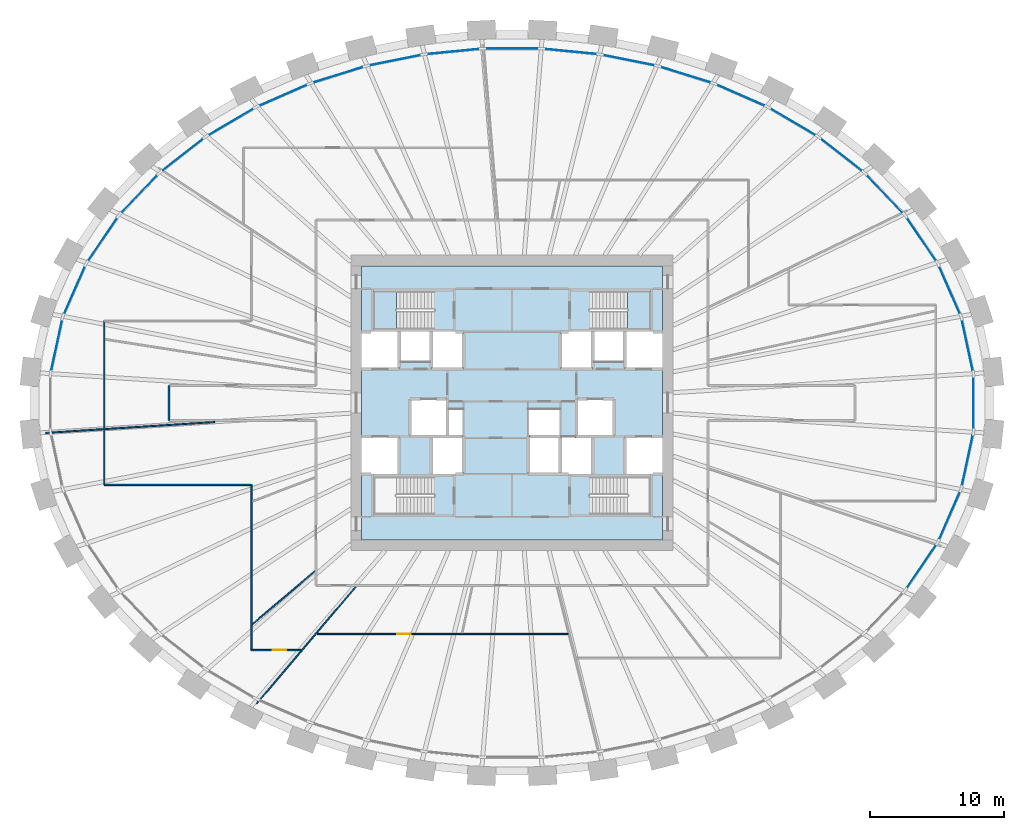
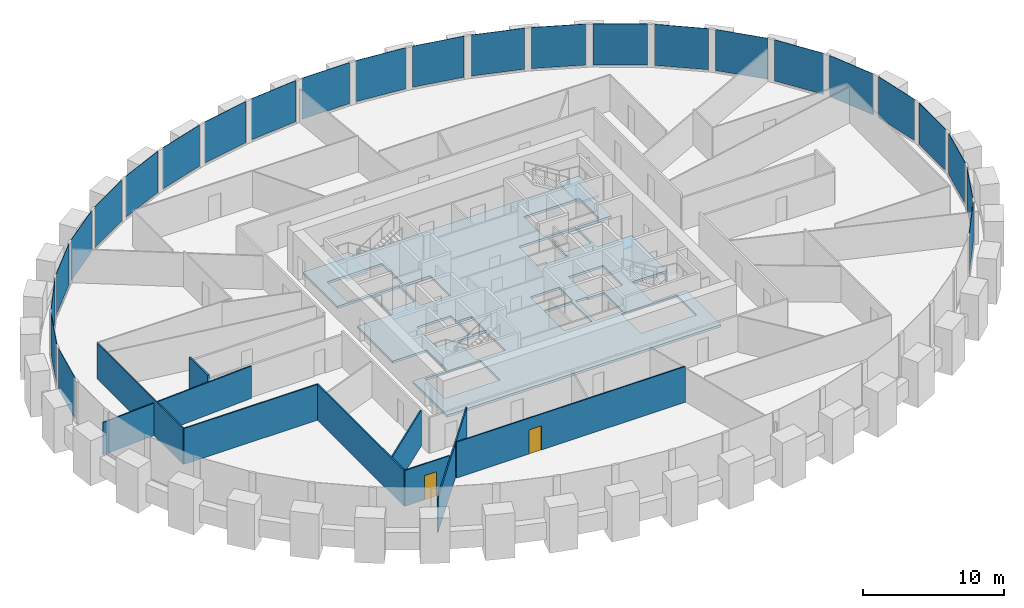
# One storey, part 5 of 11: 25 plates, 9 walls, 3 slabs, 2 doors, 2 openings, 3 elements without a shape of their own.
"""IFC4 building model written with IfcOpenShell, lengths in metres."""

from ifc_helpers import new_model, si_unit, direction, frame, frame_2d, origin, origin_2d, place, context, subcontext, project, spatial, polyline, rectangle, outline, extrude, source, transform, mapped, material, layer, layer_set, type_object, element, fill, aggregate, save


model = new_model("IFC4")

# Units and contexts
model_context = context("Model", 3, precision=1e-05, world=origin(), true_north=direction((0.0, 1.0)))
body_context = subcontext(model_context, "Body", "Model", "MODEL_VIEW")
ifc_project = project(units=[si_unit("LENGTHUNIT", "METRE"), si_unit("AREAUNIT", "SQUARE_METRE"), si_unit("VOLUMEUNIT", "CUBIC_METRE"), si_unit("PLANEANGLEUNIT", "RADIAN"), si_unit("MASSUNIT", "GRAM", prefix="KILO")], contexts=[model_context])

# Site, building, storey
site_placement = place(None, origin())
site = spatial("IfcSite", under=ifc_project, at=site_placement, CompositionType="ELEMENT")
building_placement = place(site_placement, origin())
building = spatial("IfcBuilding", under=site, at=building_placement, Name="Embergate Tower", CompositionType="ELEMENT")
storey_placement = place(building_placement, frame((0.0, 0.0, 207.300048828125)))
storey = spatial("IfcBuildingStorey", under=building, at=storey_placement, Name="L47", CompositionType="ELEMENT", Elevation=207.300048828125)

# Curtain wall, plates
ifc_material_1 = material(Name="Aluminium and glass", Category="aluminium")
curtain_wall_type = type_object("IfcCurtainWallType", Name="Recessed office glazing", PredefinedType="NOTDEFINED", material=ifc_material_1)
curtain_wall_placement = place(storey_placement, origin())
curtain_wall = element("IfcCurtainWall", 1, at=curtain_wall_placement, inside=storey, type_object=curtain_wall_type, Name="Recessed office glazing ring", ObjectType="RECESSED OFFICE GLAZING", PredefinedType="USERDEFINED")
ifc_material_2 = material(Name="Triple glazing, low-emissivity coating", Category="glass")
ifc_layer_1 = layer(ifc_material_2, 0.035888671875)
ifc_layer_set_1 = layer_set([ifc_layer_1], Name="Triple glazing, low-emissivity coating")
plate_type = type_object("IfcPlateType", Name="Office glazing unit", PredefinedType="CURTAIN_PANEL", material=ifc_layer_set_1)
shared_shape_1 = source(origin(), body_context, "Body", "SweptSolid", [
    extrude(rectangle(XDim=3.813232421875, YDim=0.035888671875, at=origin_2d()), origin(), (0.0, 0.0, 1.0), 3.550048828125),
])
plate_1_placement = place(storey_placement, frame((33.897216796875, 4.283447265625, 0.14990234375), z_axis=(0.0, 0.0, 1.0), x_axis=(-0.210394978653, 0.977616465163, 0.0)))
plate_1 = element("IfcPlate", 2, at=plate_1_placement, type_object=plate_type, Name="CW panel 1.1", PredefinedType="CURTAIN_PANEL", context=body_context, shape_type="MappedRepresentation", body=[
    mapped(shared_shape_1, transform((0.0, 0.0, 0.0))),
])
plate_2_placement = place(storey_placement, frame((-33.897216796875, 4.283447265625, 0.14990234375), z_axis=(0.0, 0.0, 1.0), x_axis=(-0.210394978653, -0.977616465163, 0.0)))
plate_2 = element("IfcPlate", 3, at=plate_2_placement, type_object=plate_type, Name="CW panel 21.1", PredefinedType="CURTAIN_PANEL", context=body_context, shape_type="MappedRepresentation", body=[
    mapped(shared_shape_1, transform((0.0, 0.0, 0.0))),
])
plate_3_placement = place(storey_placement, frame((33.897216796875, -4.283447265625, 0.14990234375), z_axis=(0.0, 0.0, 1.0), x_axis=(0.210394978653, 0.977616465163, 0.0)))
plate_3 = element("IfcPlate", 4, at=plate_3_placement, type_object=plate_type, Name="CW panel 43.1", PredefinedType="CURTAIN_PANEL", context=body_context, shape_type="MappedRepresentation", body=[
    mapped(shared_shape_1, transform((0.0, 0.0, 0.0))),
])
shared_shape_2 = source(origin(), body_context, "Body", "SweptSolid", [
    extrude(rectangle(XDim=3.820068359375, YDim=0.035888671875, at=origin_2d()), origin(), (0.0, 0.0, 1.0), 3.550048828125),
])
plate_4_placement = place(storey_placement, frame((32.569580078125, 8.388916015625, 0.14990234375), z_axis=(0.0, 0.0, 1.0), x_axis=(-0.401648904437, 0.915793730905, 0.0)))
plate_4 = element("IfcPlate", 5, at=plate_4_placement, type_object=plate_type, Name="CW panel 2.1", PredefinedType="CURTAIN_PANEL", context=body_context, shape_type="MappedRepresentation", body=[
    mapped(shared_shape_2, transform((0.0, 0.0, 0.0))),
])
plate_5_placement = place(storey_placement, frame((-32.569580078125, 8.388916015625, 0.14990234375), z_axis=(0.0, 0.0, 1.0), x_axis=(-0.401648904437, -0.915793730905, 0.0)))
plate_5 = element("IfcPlate", 6, at=plate_5_placement, type_object=plate_type, Name="CW panel 20.1", PredefinedType="CURTAIN_PANEL", context=body_context, shape_type="MappedRepresentation", body=[
    mapped(shared_shape_2, transform((0.0, 0.0, 0.0))),
])
plate_6_placement = place(storey_placement, frame((32.569580078125, -8.388916015625, 0.14990234375), z_axis=(0.0, 0.0, 1.0), x_axis=(0.401648904437, 0.915793730905, 0.0)))
plate_6 = element("IfcPlate", 7, at=plate_6_placement, type_object=plate_type, Name="CW panel 42.1", PredefinedType="CURTAIN_PANEL", context=body_context, shape_type="MappedRepresentation", body=[
    mapped(shared_shape_2, transform((0.0, 0.0, 0.0))),
])
shared_shape_3 = source(origin(), body_context, "Body", "SweptSolid", [
    extrude(rectangle(XDim=3.828857421875, YDim=0.035888671875, at=origin_2d()), origin(), (0.0, 0.0, 1.0), 3.550048828125),
])
plate_7_placement = place(storey_placement, frame((30.475341796875, 12.17431640625, 0.14990234375), z_axis=(0.0, 0.0, 1.0), x_axis=(-0.562337412243, 0.826907875638, 0.0)))
plate_7 = element("IfcPlate", 8, at=plate_7_placement, type_object=plate_type, Name="CW panel 3.1", PredefinedType="CURTAIN_PANEL", context=body_context, shape_type="MappedRepresentation", body=[
    mapped(shared_shape_3, transform((0.0, 0.0, 0.0))),
])
plate_8_placement = place(storey_placement, frame((-30.475341796875, 12.17431640625, 0.14990234375), z_axis=(0.0, 0.0, 1.0), x_axis=(-0.562337412243, -0.826907875638, 0.0)))
plate_8 = element("IfcPlate", 9, at=plate_8_placement, type_object=plate_type, Name="CW panel 19.1", PredefinedType="CURTAIN_PANEL", context=body_context, shape_type="MappedRepresentation", body=[
    mapped(shared_shape_3, transform((0.0, 0.0, 0.0))),
])
plate_9_placement = place(storey_placement, frame((30.475341796875, -12.17431640625, 0.14990234375), z_axis=(0.0, 0.0, 1.0), x_axis=(0.562337412243, 0.826907875638, 0.0)))
plate_9 = element("IfcPlate", 10, at=plate_9_placement, type_object=plate_type, Name="CW panel 41.1", PredefinedType="CURTAIN_PANEL", context=body_context, shape_type="MappedRepresentation", body=[
    mapped(shared_shape_3, transform((0.0, 0.0, 0.0))),
])
shared_shape_4 = source(origin(), body_context, "Body", "SweptSolid", [
    extrude(rectangle(XDim=3.83740234375, YDim=0.035888671875, at=origin_2d()), origin(), (0.0, 0.0, 1.0), 3.550048828125),
])
plate_10_placement = place(storey_placement, frame((27.748779296875, 15.549072265625, 0.14990234375), z_axis=(0.0, 0.0, 1.0), x_axis=(-0.690128732196, 0.72368662624, 0.0)))
plate_10 = element("IfcPlate", 11, at=plate_10_placement, type_object=plate_type, Name="CW panel 4.1", PredefinedType="CURTAIN_PANEL", context=body_context, shape_type="MappedRepresentation", body=[
    mapped(shared_shape_4, transform((0.0, 0.0, 0.0))),
])
plate_11_placement = place(storey_placement, frame((-27.748779296875, 15.549072265625, 0.14990234375), z_axis=(0.0, 0.0, 1.0), x_axis=(-0.690128732196, -0.72368662624, 0.0)))
plate_11 = element("IfcPlate", 12, at=plate_11_placement, type_object=plate_type, Name="CW panel 18.1", PredefinedType="CURTAIN_PANEL", context=body_context, shape_type="MappedRepresentation", body=[
    mapped(shared_shape_4, transform((0.0, 0.0, 0.0))),
])
shared_shape_5 = source(origin(), body_context, "Body", "SweptSolid", [
    extrude(rectangle(XDim=3.844970703125, YDim=0.035888671875, at=origin_2d()), origin(), (0.0, 0.0, 1.0), 3.550048828125),
])
plate_12_placement = place(storey_placement, frame((24.52490234375, 18.468505859375, 0.14990234375), z_axis=(0.0, 0.0, 1.0), x_axis=(-0.788315823873, 0.615270803656, 0.0)))
plate_12 = element("IfcPlate", 13, at=plate_12_placement, type_object=plate_type, Name="CW panel 5.1", PredefinedType="CURTAIN_PANEL", context=body_context, shape_type="MappedRepresentation", body=[
    mapped(shared_shape_5, transform((0.0, 0.0, 0.0))),
])
plate_13_placement = place(storey_placement, frame((-24.52490234375, 18.468505859375, 0.14990234375), z_axis=(0.0, 0.0, 1.0), x_axis=(-0.788315823873, -0.615270803656, 0.0)))
plate_13 = element("IfcPlate", 14, at=plate_13_placement, type_object=plate_type, Name="CW panel 17.1", PredefinedType="CURTAIN_PANEL", context=body_context, shape_type="MappedRepresentation", body=[
    mapped(shared_shape_5, transform((0.0, 0.0, 0.0))),
])
shared_shape_6 = source(origin(), body_context, "Body", "SweptSolid", [
    extrude(rectangle(XDim=3.850830078125, YDim=0.035888671875, at=origin_2d()), origin(), (0.0, 0.0, 1.0), 3.550048828125),
])
plate_14_placement = place(storey_placement, frame((20.920654296875, 20.9189453125, 0.14990234375), z_axis=(0.0, 0.0, 1.0), x_axis=(-0.862049629534, 0.506823871004, 0.0)))
plate_14 = element("IfcPlate", 15, at=plate_14_placement, type_object=plate_type, Name="CW panel 6.1", PredefinedType="CURTAIN_PANEL", context=body_context, shape_type="MappedRepresentation", body=[
    mapped(shared_shape_6, transform((0.0, 0.0, 0.0))),
])
plate_15_placement = place(storey_placement, frame((-20.920654296875, 20.9189453125, 0.14990234375), z_axis=(0.0, 0.0, 1.0), x_axis=(-0.862049629534, -0.506823871004, 0.0)))
plate_15 = element("IfcPlate", 16, at=plate_15_placement, type_object=plate_type, Name="CW panel 16.1", PredefinedType="CURTAIN_PANEL", context=body_context, shape_type="MappedRepresentation", body=[
    mapped(shared_shape_6, transform((0.0, 0.0, 0.0))),
])
shared_shape_7 = source(origin(), body_context, "Body", "SweptSolid", [
    extrude(rectangle(XDim=3.855224609375, YDim=0.035888671875, at=origin_2d()), origin(), (0.0, 0.0, 1.0), 3.550048828125),
])
plate_16_placement = place(storey_placement, frame((17.0322265625, 22.903076171875, 0.14990234375), z_axis=(0.0, 0.0, 1.0), x_axis=(-0.916233414734, 0.400644892298, 0.0)))
plate_16 = element("IfcPlate", 17, at=plate_16_placement, type_object=plate_type, Name="CW panel 7.1", PredefinedType="CURTAIN_PANEL", context=body_context, shape_type="MappedRepresentation", body=[
    mapped(shared_shape_7, transform((0.0, 0.0, 0.0))),
])
plate_17_placement = place(storey_placement, frame((-17.0322265625, 22.903076171875, 0.14990234375), z_axis=(0.0, 0.0, 1.0), x_axis=(-0.916233414734, -0.400644892298, 0.0)))
plate_17 = element("IfcPlate", 18, at=plate_17_placement, type_object=plate_type, Name="CW panel 15.1", PredefinedType="CURTAIN_PANEL", context=body_context, shape_type="MappedRepresentation", body=[
    mapped(shared_shape_7, transform((0.0, 0.0, 0.0))),
])
shared_shape_8 = source(origin(), body_context, "Body", "SweptSolid", [
    extrude(rectangle(XDim=3.8583984375, YDim=0.035888671875, at=origin_2d()), origin(), (0.0, 0.0, 1.0), 3.550048828125),
])
plate_18_placement = place(storey_placement, frame((12.9375, 24.430419921875, 0.14990234375), z_axis=(0.0, 0.0, 1.0), x_axis=(-0.954770660302, 0.297343212847, 0.0)))
plate_18 = element("IfcPlate", 19, at=plate_18_placement, type_object=plate_type, Name="CW panel 8.1", PredefinedType="CURTAIN_PANEL", context=body_context, shape_type="MappedRepresentation", body=[
    mapped(shared_shape_8, transform((0.0, 0.0, 0.0))),
])
plate_19_placement = place(storey_placement, frame((-12.9375, 24.430419921875, 0.14990234375), z_axis=(0.0, 0.0, 1.0), x_axis=(-0.954770660302, -0.297343212847, 0.0)))
plate_19 = element("IfcPlate", 20, at=plate_19_placement, type_object=plate_type, Name="CW panel 14.1", PredefinedType="CURTAIN_PANEL", context=body_context, shape_type="MappedRepresentation", body=[
    mapped(shared_shape_8, transform((0.0, 0.0, 0.0))),
])
shared_shape_9 = source(origin(), body_context, "Body", "SweptSolid", [
    extrude(rectangle(XDim=3.860595703125, YDim=0.035888671875, at=origin_2d()), origin(), (0.0, 0.0, 1.0), 3.550048828125),
])
plate_20_placement = place(storey_placement, frame((8.69970703125, 25.51220703125, 0.14990234375), z_axis=(0.0, 0.0, 1.0), x_axis=(-0.980475221003, 0.196642673395, 0.0)))
plate_20 = element("IfcPlate", 21, at=plate_20_placement, type_object=plate_type, Name="CW panel 9.1", PredefinedType="CURTAIN_PANEL", context=body_context, shape_type="MappedRepresentation", body=[
    mapped(shared_shape_9, transform((0.0, 0.0, 0.0))),
])
plate_21_placement = place(storey_placement, frame((-8.69970703125, 25.51220703125, 0.14990234375), z_axis=(0.0, 0.0, 1.0), x_axis=(-0.980475221003, -0.196642673395, 0.0)))
plate_21 = element("IfcPlate", 22, at=plate_21_placement, type_object=plate_type, Name="CW panel 13.1", PredefinedType="CURTAIN_PANEL", context=body_context, shape_type="MappedRepresentation", body=[
    mapped(shared_shape_9, transform((0.0, 0.0, 0.0))),
])
shared_shape_10 = source(origin(), body_context, "Body", "SweptSolid", [
    extrude(rectangle(XDim=3.862060546875, YDim=0.035888671875, at=origin_2d()), origin(), (0.0, 0.0, 1.0), 3.550048828125),
])
plate_22_placement = place(storey_placement, frame((4.37158203125, 26.1572265625, 0.14990234375), z_axis=(0.0, 0.0, 1.0), x_axis=(-0.995203014042, 0.097831287645, 0.0)))
plate_22 = element("IfcPlate", 23, at=plate_22_placement, type_object=plate_type, Name="CW panel 10.1", PredefinedType="CURTAIN_PANEL", context=body_context, shape_type="MappedRepresentation", body=[
    mapped(shared_shape_10, transform((0.0, 0.0, 0.0))),
])
plate_23_placement = place(storey_placement, frame((-4.37158203125, 26.1572265625, 0.14990234375), z_axis=(0.0, 0.0, 1.0), x_axis=(-0.995203014042, -0.097831287645, 0.0)))
plate_23 = element("IfcPlate", 24, at=plate_23_placement, type_object=plate_type, Name="CW panel 12.1", PredefinedType="CURTAIN_PANEL", context=body_context, shape_type="MappedRepresentation", body=[
    mapped(shared_shape_10, transform((0.0, 0.0, 0.0))),
])
shared_shape_11 = source(origin(), body_context, "Body", "SweptSolid", [
    extrude(rectangle(XDim=3.8623046875, YDim=0.035888671875, at=origin_2d()), origin(), (0.0, 0.0, 1.0), 3.550048828125),
])
plate_24_placement = place(storey_placement, frame((0.0, 26.37158203125, 0.14990234375), z_axis=(0.0, 0.0, 1.0), x_axis=(-1.0, 0.0, 0.0)))
plate_24 = element("IfcPlate", 25, at=plate_24_placement, type_object=plate_type, Name="CW panel 11.1", PredefinedType="CURTAIN_PANEL", context=body_context, shape_type="MappedRepresentation", body=[
    mapped(shared_shape_11, transform((0.0, 0.0, 0.0))),
])
shared_shape_12 = source(origin(), body_context, "Body", "SweptSolid", [
    extrude(rectangle(XDim=3.810546875, YDim=0.035888671875, at=origin_2d()), origin(), (0.0, 0.0, 1.0), 3.550048828125),
])
plate_25_placement = place(storey_placement, frame((34.35302734375, 0.0, 0.14990234375), z_axis=(0.0, 0.0, 1.0), x_axis=(0.0, 1.0, 0.0)))
plate_25 = element("IfcPlate", 26, at=plate_25_placement, type_object=plate_type, Name="CW panel 44.1", PredefinedType="CURTAIN_PANEL", context=body_context, shape_type="MappedRepresentation", body=[
    mapped(shared_shape_12, transform((0.0, 0.0, 0.0))),
])
aggregate(curtain_wall, [plate_1, plate_4, plate_7, plate_10, plate_12, plate_14, plate_16, plate_18, plate_20, plate_22, plate_24, plate_23, plate_21, plate_19, plate_17, plate_15, plate_13, plate_11, plate_8, plate_5, plate_2, plate_9, plate_6, plate_3, plate_25])

# Stair, slab
ifc_material_3 = material(Name="Exit stair")
stair_type = type_object("IfcStairType", Name="Exit stair", PredefinedType="HALF_TURN_STAIR", material=ifc_material_3)
stair_1_placement = place(storey_placement, origin())
stair_1 = element("IfcStair", 27, at=stair_1_placement, inside=storey, type_object=stair_type, Name="L47 Exit stair 1", PredefinedType="HALF_TURN_STAIR")
ifc_material_4 = material(Name="Concrete C40", Category="concrete")
ifc_layer_2 = layer(ifc_material_4, 0.199951171875)
ifc_layer_set_2 = layer_set([ifc_layer_2], Name="Concrete C40")
slab_type_1 = type_object("IfcSlabType", Name="Stair landing reinforced concrete", PredefinedType="LANDING", material=ifc_layer_set_2)
shared_shape_13 = source(origin(), body_context, "Body", "SweptSolid", [
    extrude(outline(polyline([(0.0, 0.0), (1.68994140625, 0.0), (1.68994140625, 2.800048828125), (0.0, 2.800048828125), (0.0, 0.0)])), origin(), (0.0, 0.0, 1.0), 0.199951171875),
])
slab_1_placement = place(storey_placement, frame((-10.300048828125, 5.5, 1.75)))
slab_1 = element("IfcSlab", 28, at=slab_1_placement, type_object=slab_type_1, Name="ST1 landing 1", PredefinedType="LANDING", context=body_context, shape_type="MappedRepresentation", body=[
    mapped(shared_shape_13, transform((0.0, 0.0, 0.0))),
])
aggregate(stair_1, [slab_1])

stair_2_placement = place(storey_placement, origin())
stair_2 = element("IfcStair", 29, at=stair_2_placement, inside=storey, type_object=stair_type, Name="L47 Exit stair 2", PredefinedType="HALF_TURN_STAIR")
slab_2_placement = place(storey_placement, frame((8.610107421875, 5.5, 1.75)))
slab_2 = element("IfcSlab", 30, at=slab_2_placement, type_object=slab_type_1, Name="ST2 landing 1", PredefinedType="LANDING", context=body_context, shape_type="MappedRepresentation", body=[
    mapped(shared_shape_13, transform((0.0, 0.0, 0.0))),
])
aggregate(stair_2, [slab_2])

# Slab
ifc_layer_3 = layer(ifc_material_4, 0.199951171875)
ifc_layer_set_3 = layer_set([ifc_layer_3], Name="Concrete C40")
slab_type_2 = type_object("IfcSlabType", Name="Core floor slab 200 reinforced concrete", PredefinedType="FLOOR", material=ifc_layer_set_3)
shared_shape_14 = source(origin(), body_context, "Body", "SweptSolid", [
    extrude(outline(polyline([(0.0, 0.0), (22.39990234375, 0.0), (22.39990234375, 4.89990234375), (19.599853515625, 4.89990234375), (19.599853515625, 7.699951171875), (22.39990234375, 7.699951171875), (22.39990234375, 12.699951171875), (19.599853515625, 12.699951171875), (19.599853515625, 15.5), (22.39990234375, 15.5), (22.39990234375, 20.39990234375), (0.0, 20.39990234375), (0.0, 15.5), (2.800048828125, 15.5), (2.800048828125, 12.699951171875), (0.0, 12.699951171875), (0.0, 7.699951171875), (2.800048828125, 7.699951171875), (2.800048828125, 4.89990234375), (0.0, 4.89990234375), (0.0, 0.0)]), holes=[polyline([(0.89990234375, 1.89990234375), (0.89990234375, 4.699951171875), (5.43994140625, 4.699951171875), (5.43994140625, 1.89990234375), (0.89990234375, 1.89990234375)]), polyline([(16.9599609375, 1.89990234375), (16.9599609375, 4.699951171875), (21.5, 4.699951171875), (21.5, 1.89990234375), (16.9599609375, 1.89990234375)]), polyline([(5.199951171875, 4.89990234375), (5.199951171875, 7.574951171875), (6.52490234375, 7.574951171875), (6.52490234375, 7.699951171875), (7.599853515625, 7.699951171875), (7.599853515625, 4.89990234375), (5.199951171875, 4.89990234375)]), polyline([(12.39990234375, 4.89990234375), (12.39990234375, 7.699951171875), (14.675048828125, 7.699951171875), (14.675048828125, 4.89990234375), (12.39990234375, 4.89990234375)]), polyline([(14.925048828125, 4.89990234375), (14.925048828125, 7.699951171875), (15.875, 7.699951171875), (15.875, 7.574951171875), (17.199951171875, 7.574951171875), (17.199951171875, 4.89990234375), (14.925048828125, 4.89990234375)]), polyline([(3.599853515625, 7.699951171875), (3.599853515625, 10.5), (6.39990234375, 10.5), (6.39990234375, 7.824951171875), (5.074951171875, 7.824951171875), (5.074951171875, 7.699951171875), (3.599853515625, 7.699951171875)]), polyline([(17.324951171875, 7.699951171875), (17.324951171875, 7.824951171875), (16.0, 7.824951171875), (16.0, 10.5), (18.800048828125, 10.5), (18.800048828125, 7.699951171875), (17.324951171875, 7.699951171875)]), polyline([(6.52490234375, 7.824951171875), (6.52490234375, 9.699951171875), (7.599853515625, 9.699951171875), (7.599853515625, 7.824951171875), (6.52490234375, 7.824951171875)]), polyline([(12.39990234375, 7.824951171875), (12.39990234375, 9.699951171875), (14.800048828125, 9.699951171875), (14.800048828125, 7.824951171875), (14.675048828125, 7.824951171875), (12.39990234375, 7.824951171875)]), polyline([(5.199951171875, 12.699951171875), (5.199951171875, 15.5), (7.599853515625, 15.5), (7.599853515625, 12.699951171875), (5.199951171875, 12.699951171875)]), polyline([(14.800048828125, 12.699951171875), (14.800048828125, 15.5), (17.199951171875, 15.5), (17.199951171875, 12.699951171875), (14.800048828125, 12.699951171875)]), polyline([(2.925048828125, 13.300048828125), (2.925048828125, 15.5), (5.074951171875, 15.5), (5.074951171875, 13.300048828125), (2.925048828125, 13.300048828125)]), polyline([(17.324951171875, 13.300048828125), (17.324951171875, 15.5), (19.474853515625, 15.5), (19.474853515625, 13.300048828125), (17.324951171875, 13.300048828125)]), polyline([(0.89990234375, 15.699951171875), (0.89990234375, 18.5), (5.43994140625, 18.5), (5.43994140625, 15.699951171875), (0.89990234375, 15.699951171875)]), polyline([(16.9599609375, 15.699951171875), (16.9599609375, 18.5), (21.5, 18.5), (21.5, 15.699951171875), (16.9599609375, 15.699951171875)])]), origin(), (0.0, 0.0, 1.0), 0.199951171875),
])
slab_3_placement = place(storey_placement, frame((-11.199951171875, -10.199951171875, -0.199951171875)))
element("IfcSlab", 31, at=slab_3_placement, inside=storey, type_object=slab_type_2, Name="Core floor slab", PredefinedType="FLOOR", context=body_context, shape_type="MappedRepresentation", body=[
    mapped(shared_shape_14, transform((0.0, 0.0, 0.0))),
])

# Walls
ifc_material_5 = material(Name="Partition dry-lined 100")
ifc_layer_4 = layer(ifc_material_5, 0.10009765625)
ifc_layer_set_4 = layer_set([ifc_layer_4], Name="Partition dry-lined 100")
wall_type_1 = type_object("IfcWallType", Name="Partition dry-lined 100", PredefinedType="PARTITIONING", material=ifc_layer_set_4)
shared_shape_15 = source(origin(), body_context, "Body", "SweptSolid", [
    extrude(rectangle(XDim=10.9501953125, YDim=0.10009765625, at=frame_2d((5.47509765625, 0.0))), origin(), (0.0, 0.0, 1.0), 3.099853515625),
])
wall_1_placement = place(storey_placement, frame((-19.39990234375, -6.10009765625, 0.0), z_axis=(0.0, 0.0, 1.0), x_axis=(-1.0, 0.0, 0.0)))
element("IfcWall", 32, at=wall_1_placement, inside=storey, type_object=wall_type_1, Name="IP-1 wall", PredefinedType="PARTITIONING", context=body_context, shape_type="MappedRepresentation", body=[
    mapped(shared_shape_15, transform((0.0, 0.0, 0.0))),
])
shared_shape_16 = source(origin(), body_context, "Body", "SweptSolid", [
    extrude(rectangle(XDim=12.612060546875, YDim=0.10009765625, at=frame_2d((6.30615234375, 0.0))), origin(), (0.0, 0.0, 1.0), 2.800048828125),
])
wall_2_placement = place(storey_placement, frame((-22.132080078125, -1.425048828125, 0.0), z_axis=(0.0, 0.0, 1.0), x_axis=(-0.997935166731, -0.064229300186, 0.0)))
element("IfcWall", 33, at=wall_2_placement, inside=storey, type_object=wall_type_1, Name="IP-1 wall", PredefinedType="PARTITIONING", context=body_context, shape_type="MappedRepresentation", body=[
    mapped(shared_shape_16, transform((0.0, 0.0, 0.0))),
])
ifc_material_6 = material(Name="Corridor wall dry-lined 150")
ifc_layer_5 = layer(ifc_material_6, 0.14990234375)
ifc_layer_set_5 = layer_set([ifc_layer_5], Name="Corridor wall dry-lined 150")
wall_type_2 = type_object("IfcWallType", Name="Corridor wall dry-lined 150", PredefinedType="PARTITIONING", material=ifc_layer_set_5)
shared_shape_17 = source(origin(), body_context, "Body", "SweptSolid", [
    extrude(rectangle(XDim=2.60009765625, YDim=0.14990234375, at=frame_2d((1.300048828125, 0.0))), origin(), (0.0, 0.0, 1.0), 3.099853515625),
])
wall_3_placement = place(storey_placement, frame((-25.550048828125, 1.300048828125, 0.0), z_axis=(0.0, 0.0, 1.0), x_axis=(0.0, -1.0, 0.0)))
element("IfcWall", 34, at=wall_3_placement, inside=storey, type_object=wall_type_2, Name="IP-2 wall", PredefinedType="PARTITIONING", context=body_context, shape_type="MappedRepresentation", body=[
    mapped(shared_shape_17, transform((0.0, 0.0, 0.0))),
])
shared_shape_18 = source(origin(), body_context, "Body", "SweptSolid", [
    extrude(rectangle(XDim=12.2998046875, YDim=0.10009765625, at=frame_2d((6.14990234375, 0.0))), origin(), (0.0, 0.0, 1.0), 3.099853515625),
])
wall_4_placement = place(storey_placement, frame((-19.39990234375, -18.39990234375, 0.0), z_axis=(0.0, 0.0, 1.0), x_axis=(0.0, 1.0, 0.0)))
element("IfcWall", 35, at=wall_4_placement, inside=storey, type_object=wall_type_1, Name="IP-1 wall", PredefinedType="PARTITIONING", context=body_context, shape_type="MappedRepresentation", body=[
    mapped(shared_shape_18, transform((0.0, 0.0, 0.0))),
])
shared_shape_19 = source(origin(), body_context, "Body", "SweptSolid", [
    extrude(rectangle(XDim=12.2001953125, YDim=0.10009765625, at=frame_2d((6.10009765625, 0.0))), origin(), (0.0, 0.0, 1.0), 3.099853515625),
])
wall_5_placement = place(storey_placement, frame((-30.35009765625, -6.10009765625, 0.0), z_axis=(0.0, 0.0, 1.0), x_axis=(0.0, 1.0, 0.0)))
element("IfcWall", 36, at=wall_5_placement, inside=storey, type_object=wall_type_1, Name="IP-1 wall", PredefinedType="PARTITIONING", context=body_context, shape_type="MappedRepresentation", body=[
    mapped(shared_shape_19, transform((0.0, 0.0, 0.0))),
])
shared_shape_20 = source(origin(), body_context, "Body", "SweptSolid", [
    extrude(rectangle(XDim=6.06005859375, YDim=0.10009765625, at=frame_2d((3.030029296875, 0.0))), origin(), (0.0, 0.0, 1.0), 3.099853515625),
])
wall_6_placement = place(storey_placement, frame((-14.70703125, -12.544921875, 0.0), z_axis=(0.0, 0.0, 1.0), x_axis=(-0.760903567503, -0.648864978991, 0.0)))
element("IfcWall", 37, at=wall_6_placement, inside=storey, type_object=wall_type_1, Name="IP-1 wall", PredefinedType="PARTITIONING", context=body_context, shape_type="MappedRepresentation", body=[
    mapped(shared_shape_20, transform((0.0, 0.0, 0.0))),
])

# Wall, opening, door
shared_shape_21 = source(origin(), body_context, "Body", "SweptSolid", [
    extrude(rectangle(XDim=3.663818359375, YDim=0.10009765625, at=frame_2d((1.83203125, 0.0))), origin(), (0.0, 0.0, 1.0), 3.099853515625),
])
wall_7_placement = place(storey_placement, frame((-19.39990234375, -18.39990234375, 0.0), z_axis=(0.0, 0.0, 1.0), x_axis=(1.0, 0.0, 0.0)))
wall_7 = element("IfcWall", 38, at=wall_7_placement, inside=storey, type_object=wall_type_1, Name="IP-1 wall", PredefinedType="PARTITIONING", context=body_context, shape_type="MappedRepresentation", body=[
    mapped(shared_shape_21, transform((0.0, 0.0, 0.0))),
])
shared_shape_22 = source(origin(), body_context, "Body", "SweptSolid", [
    extrude(rectangle(XDim=1.0, YDim=2.10009765625, at=frame_2d((0.5, 1.050048828125))), frame((0.0, 0.06005859375, 0.0), z_axis=(0.0, -1.0, 0.0), x_axis=(1.0, 0.0, 0.0)), (0.0, 0.0, 1.0), 0.1201171875),
])
opening_1_placement = place(wall_7_placement, frame((1.58203125, 0.0, 0.0)))
opening_1 = element("IfcOpeningElement", 39, at=opening_1_placement, cuts=wall_7, Name="Opening ID-2", PredefinedType="OPENING", context=body_context, shape_type="MappedRepresentation", body=[
    mapped(shared_shape_22, transform((0.0, 0.0, 0.0))),
])
ifc_material_7 = material(Name="Interior door 1000")
door_type = type_object("IfcDoorType", Name="Interior door 1000", OperationType="SINGLE_SWING_LEFT", PredefinedType="DOOR", material=ifc_material_7)
shared_shape_23 = source(origin(), body_context, "Body", "SweptSolid", [
    extrude(rectangle(XDim=1.0, YDim=2.10009765625, at=frame_2d((0.5, 1.050048828125))), frame((0.0, 0.02490234375, 0.0), z_axis=(0.0, -1.0, 0.0), x_axis=(1.0, 0.0, 0.0)), (0.0, 0.0, 1.0), 0.050048828125),
])
door_1_placement = place(opening_1_placement, origin())
door_1 = element("IfcDoor", 40, at=door_1_placement, inside=storey, type_object=door_type, Name="ID-2 door", OperationType="SINGLE_SWING_LEFT", OverallHeight=2.10009765625, OverallWidth=1.0, PredefinedType="DOOR", context=body_context, shape_type="MappedRepresentation", body=[
    mapped(shared_shape_23, transform((0.0, 0.0, 0.0))),
])
fill(opening_1, door_1)

# Wall
shared_shape_24 = source(origin(), body_context, "Body", "SweptSolid", [
    extrude(rectangle(XDim=11.376708984375, YDim=0.10009765625, at=frame_2d((5.6884765625, 0.0))), origin(), (0.0, 0.0, 1.0), 3.0),
])
wall_8_placement = place(storey_placement, frame((-19.007080078125, -22.3779296875, 0.0), z_axis=(0.0, 0.0, 1.0), x_axis=(0.64737927506, 0.762168009183, 0.0)))
element("IfcWall", 41, at=wall_8_placement, inside=storey, type_object=wall_type_1, Name="IP-1 wall", PredefinedType="PARTITIONING", context=body_context, shape_type="MappedRepresentation", body=[
    mapped(shared_shape_24, transform((0.0, 0.0, 0.0))),
])

# Wall, opening, door
shared_shape_25 = source(origin(), body_context, "Body", "SweptSolid", [
    extrude(rectangle(XDim=18.7099609375, YDim=0.10009765625, at=frame_2d((9.35498046875, 0.0))), origin(), (0.0, 0.0, 1.0), 3.099853515625),
])
wall_9_placement = place(storey_placement, frame((-14.5009765625, -17.199951171875, 0.0), z_axis=(0.0, 0.0, 1.0), x_axis=(1.0, 0.0, 0.0)))
wall_9 = element("IfcWall", 42, at=wall_9_placement, inside=storey, type_object=wall_type_1, Name="IP-1 wall", PredefinedType="PARTITIONING", context=body_context, shape_type="MappedRepresentation", body=[
    mapped(shared_shape_25, transform((0.0, 0.0, 0.0))),
])
opening_2_placement = place(wall_9_placement, frame((5.945556640625, 0.0, 0.0)))
opening_2 = element("IfcOpeningElement", 43, at=opening_2_placement, cuts=wall_9, Name="Opening ID-2", PredefinedType="OPENING", context=body_context, shape_type="MappedRepresentation", body=[
    mapped(shared_shape_22, transform((0.0, 0.0, 0.0))),
])
door_2_placement = place(opening_2_placement, origin())
door_2 = element("IfcDoor", 44, at=door_2_placement, inside=storey, type_object=door_type, Name="ID-2 door", OperationType="SINGLE_SWING_LEFT", OverallHeight=2.10009765625, OverallWidth=1.0, PredefinedType="DOOR", context=body_context, shape_type="MappedRepresentation", body=[
    mapped(shared_shape_23, transform((0.0, 0.0, 0.0))),
])
fill(opening_2, door_2)

save(model, "model.ifc")
